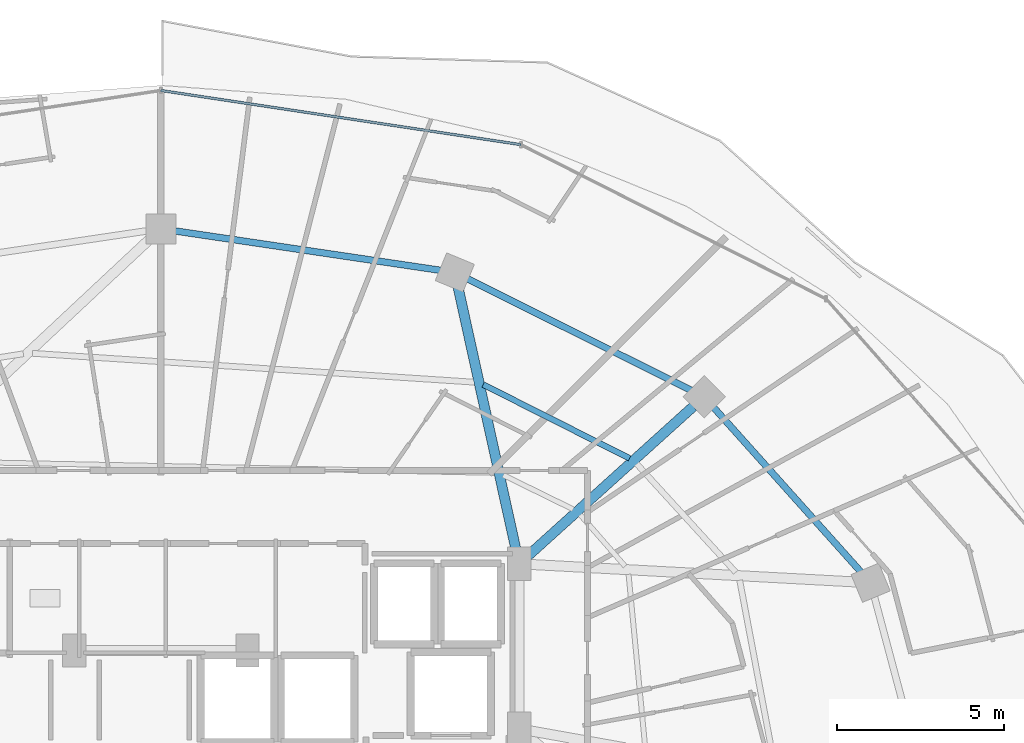
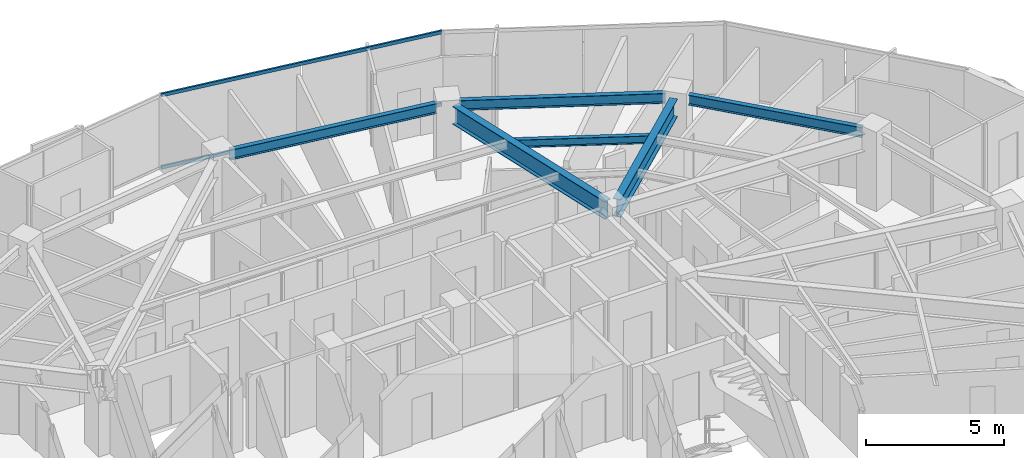
# One storey, part 20 of 34: 6 beams, 2 members, 1 element without a shape of its own.
"""IFC4 building model written with IfcOpenShell, lengths in metres."""

from ifc_helpers import new_model, si_unit, direction, frame, origin, origin_2d, place, context, subcontext, project, spatial, hollow_rectangle, i_section, extrude, material, material_profile, profile_set, type_object, element, aggregate, save


model = new_model("IFC4")

# Units and contexts
model_context = context("Model", 3, precision=1e-05, world=origin(), true_north=direction((0.0, 1.0)))
body_context = subcontext(model_context, "Body", "Model", "MODEL_VIEW")
ifc_project = project(units=[si_unit("LENGTHUNIT", "METRE"), si_unit("AREAUNIT", "SQUARE_METRE"), si_unit("VOLUMEUNIT", "CUBIC_METRE"), si_unit("PLANEANGLEUNIT", "RADIAN"), si_unit("MASSUNIT", "GRAM", prefix="KILO")], contexts=[model_context])

# Site, building, storey
site_placement = place(None, origin())
site = spatial("IfcSite", under=ifc_project, at=site_placement, CompositionType="ELEMENT")
building_placement = place(site_placement, origin())
building = spatial("IfcBuilding", under=site, at=building_placement, Name="Vorneva Point Tower", CompositionType="ELEMENT")
storey_placement = place(building_placement, frame((0.0, 0.0, 186.10009765625)))
storey = spatial("IfcBuildingStorey", under=building, at=storey_placement, Name="L50", CompositionType="ELEMENT", Elevation=186.10009765625)

# Beams
ifc_material_1 = material(Name="Steel S355", Category="steel")
ifc_material_profile_1 = material_profile(ifc_material_1, i_section(OverallWidth=0.300048828125, OverallDepth=0.7880859375, WebThickness=0.014404296875, FlangeThickness=0.02197265625, at=origin_2d()), Name="80Sh1")
ifc_profile_set_1 = profile_set([ifc_material_profile_1], Name="Steel S355")
beam_type_1 = type_object("IfcBeamType", Name="BM-GRD-80Sh1", PredefinedType="USERDEFINED", material=ifc_profile_set_1)
beam_1_placement = place(storey_placement, frame((53.973876953125, 37.86865234375, 2.845947265625), z_axis=(-0.742089778537, -0.670300500217, 0.0), x_axis=(0.670300500217, -0.742089778537, 0.0)))
element("IfcBeam", 1, at=beam_1_placement, inside=storey, type_object=beam_type_1, Name="L50 Radial Primary Girder 03", ObjectType="GIRDER", PredefinedType="USERDEFINED", context=body_context, shape_type="SweptSolid", body=[
    extrude(i_section(OverallWidth=0.300048828125, OverallDepth=0.7880859375, WebThickness=0.014404296875, FlangeThickness=0.02197265625, at=origin_2d()), origin(), (0.0, 0.0, 1.0), 6.699462890625),
])
beam_2_placement = place(storey_placement, frame((46.915283203125, 41.462890625, 2.845947265625), z_axis=(0.215522758292, -0.976498817541, 0.0), x_axis=(0.976498817541, 0.215522758292, 0.0)))
element("IfcBeam", 2, at=beam_2_placement, inside=storey, type_object=beam_type_1, Name="L50 Radial Primary Girder 04", ObjectType="GIRDER", PredefinedType="USERDEFINED", context=body_context, shape_type="SweptSolid", body=[
    extrude(i_section(OverallWidth=0.300048828125, OverallDepth=0.7880859375, WebThickness=0.014404296875, FlangeThickness=0.02197265625, at=origin_2d()), origin(), (0.0, 0.0, 1.0), 8.173095703125),
])
ifc_material_profile_2 = material_profile(ifc_material_1, i_section(OverallWidth=0.174072265625, OverallDepth=0.345947265625, WebThickness=0.006103515625, FlangeThickness=0.009033203125, at=origin_2d()), Name="35B1")
ifc_profile_set_2 = profile_set([ifc_material_profile_2], Name="Steel S355")
beam_type_2 = type_object("IfcBeamType", Name="BM-SEC-35B1", PredefinedType="BEAM", material=ifc_profile_set_2)
beam_3_placement = place(storey_placement, frame((52.060791015625, 36.314208984375, 3.06689453125), z_axis=(-0.89285196268, 0.450350277827, 0.0), x_axis=(-0.450350277827, -0.89285196268, 0.0)))
element("IfcBeam", 3, at=beam_3_placement, inside=storey, type_object=beam_type_2, Name="L50 Secondary Floor Beam 1.03", PredefinedType="BEAM", context=body_context, shape_type="SweptSolid", body=[
    extrude(i_section(OverallWidth=0.174072265625, OverallDepth=0.345947265625, WebThickness=0.006103515625, FlangeThickness=0.009033203125, at=origin_2d()), origin(), (0.0, 0.0, 1.0), 4.914794921875),
])
ifc_material_profile_3 = material_profile(ifc_material_1, i_section(OverallWidth=0.198974609375, OverallDepth=0.446044921875, WebThickness=0.008056640625, FlangeThickness=0.011962890625, at=origin_2d()), Name="45B1")
ifc_profile_set_3 = profile_set([ifc_material_profile_3], Name="Steel S355")
beam_type_3 = type_object("IfcBeamType", Name="BM-SPN-45B1", PredefinedType="SPANDREL", material=ifc_profile_set_3)
beam_4_placement = place(storey_placement, frame((59.005126953125, 32.90625, 3.016845703125), z_axis=(-0.66706970547, 0.744995307397, 0.0), x_axis=(-0.744995307397, -0.66706970547, 0.0)))
element("IfcBeam", 4, at=beam_4_placement, inside=storey, type_object=beam_type_3, Name="L50 Perimeter Spandrel Ring Beam 02", PredefinedType="SPANDREL", context=body_context, shape_type="SweptSolid", body=[
    extrude(i_section(OverallWidth=0.198974609375, OverallDepth=0.446044921875, WebThickness=0.008056640625, FlangeThickness=0.011962890625, at=origin_2d()), origin(), (0.0, 0.0, 1.0), 6.6201171875),
])
beam_5_placement = place(storey_placement, frame((53.909423828125, 38.356201171875, 3.016845703125), z_axis=(-0.894922371084, 0.446221861559, 0.0), x_axis=(-0.446221861559, -0.894922371084, 0.0)))
element("IfcBeam", 5, at=beam_5_placement, inside=storey, type_object=beam_type_3, Name="L50 Perimeter Spandrel Ring Beam 03", PredefinedType="SPANDREL", context=body_context, shape_type="SweptSolid", body=[
    extrude(i_section(OverallWidth=0.198974609375, OverallDepth=0.446044921875, WebThickness=0.008056640625, FlangeThickness=0.011962890625, at=origin_2d()), origin(), (0.0, 0.0, 1.0), 7.48583984375),
])
beam_6_placement = place(storey_placement, frame((46.390625, 41.95458984375, 3.016845703125), z_axis=(-0.989165476332, 0.146804837907, 0.0), x_axis=(-0.146804837907, -0.989165476332, 0.0)))
element("IfcBeam", 6, at=beam_6_placement, inside=storey, type_object=beam_type_3, Name="L50 Perimeter Spandrel Ring Beam 04", PredefinedType="SPANDREL", context=body_context, shape_type="SweptSolid", body=[
    extrude(i_section(OverallWidth=0.198974609375, OverallDepth=0.446044921875, WebThickness=0.008056640625, FlangeThickness=0.011962890625, at=origin_2d()), origin(), (0.0, 0.0, 1.0), 8.04736328125),
])

# Curtain wall, members
ifc_material_2 = material(Name="Pale anodised aluminium", Category="aluminium")
curtain_wall_type = type_object("IfcCurtainWallType", Name="CW-RES-SYS", PredefinedType="NOTDEFINED", material=ifc_material_2)
curtain_wall_placement = place(storey_placement, origin())
curtain_wall = element("IfcCurtainWall", 7, at=curtain_wall_placement, inside=storey, type_object=curtain_wall_type, Name="L50 Unitised Curtain Wall CW-L50-R01", PredefinedType="NOTDEFINED")
ifc_material_profile_4 = material_profile(ifc_material_2, hollow_rectangle(XDim=0.074951171875, YDim=0.14990234375, WallThickness=0.00390625, at=origin_2d()), Name="AL-TRN 150x75x4")
ifc_profile_set_4 = profile_set([ifc_material_profile_4], Name="Pale anodised aluminium")
member_type = type_object("IfcMemberType", Name="CW-TRN-150", PredefinedType="USERDEFINED", material=ifc_profile_set_4)
member_1_placement = place(storey_placement, frame((48.80322265625, 45.724853515625, 0.02001953125), z_axis=(-0.988872333273, 0.148766624239, 0.0), x_axis=(-0.148766624239, -0.988872333273, 0.0)))
member_1 = element("IfcMember", 8, at=member_1_placement, type_object=member_type, Name="CW-L50-R01 Transom 03.1", ObjectType="TRANSOM", PredefinedType="USERDEFINED", context=body_context, shape_type="SweptSolid", body=[
    extrude(hollow_rectangle(XDim=0.074951171875, YDim=0.14990234375, WallThickness=0.00390625, at=origin_2d()), origin(), (0.0, 0.0, 1.0), 10.9248046875),
])
member_2_placement = place(storey_placement, frame((48.80322265625, 45.724853515625, 3.219970703125), z_axis=(-0.988872333273, 0.148766624239, 0.0), x_axis=(-0.148766624239, -0.988872333273, 0.0)))
member_2 = element("IfcMember", 9, at=member_2_placement, type_object=member_type, Name="CW-L50-R01 Transom 03.2", ObjectType="TRANSOM", PredefinedType="USERDEFINED", context=body_context, shape_type="SweptSolid", body=[
    extrude(hollow_rectangle(XDim=0.074951171875, YDim=0.14990234375, WallThickness=0.00390625, at=origin_2d()), origin(), (0.0, 0.0, 1.0), 10.9248046875),
])
aggregate(curtain_wall, [member_1, member_2])

save(model, "model.ifc")
